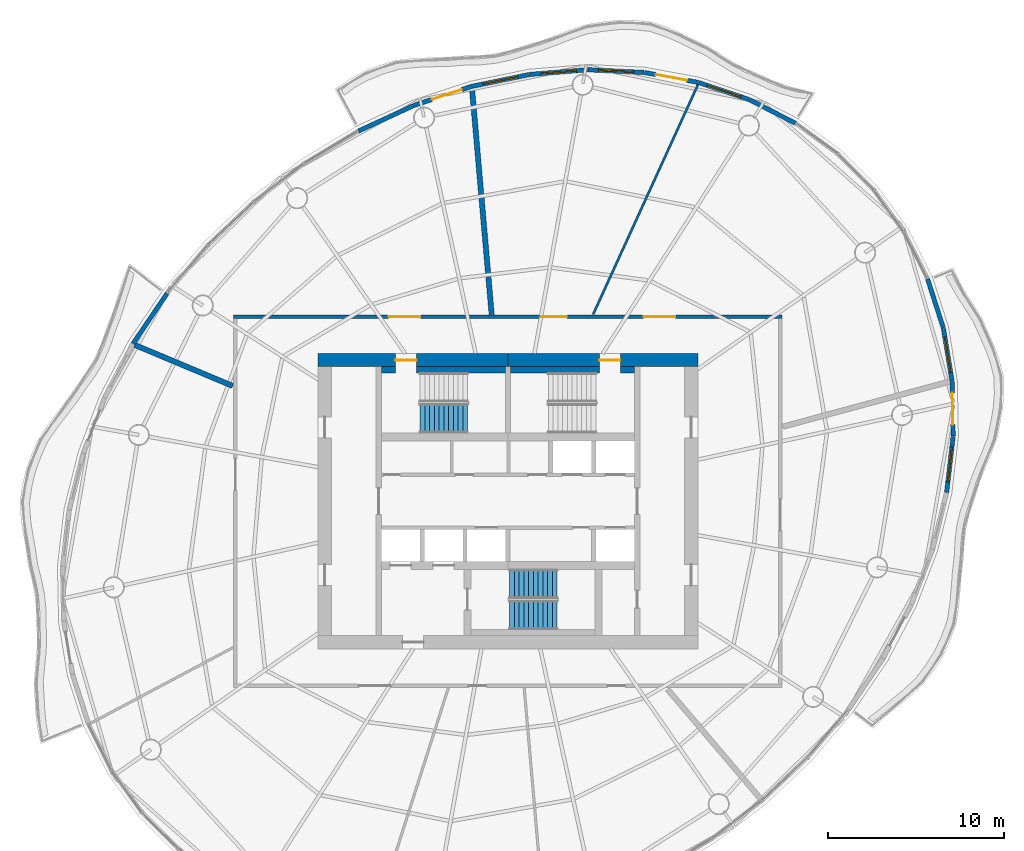
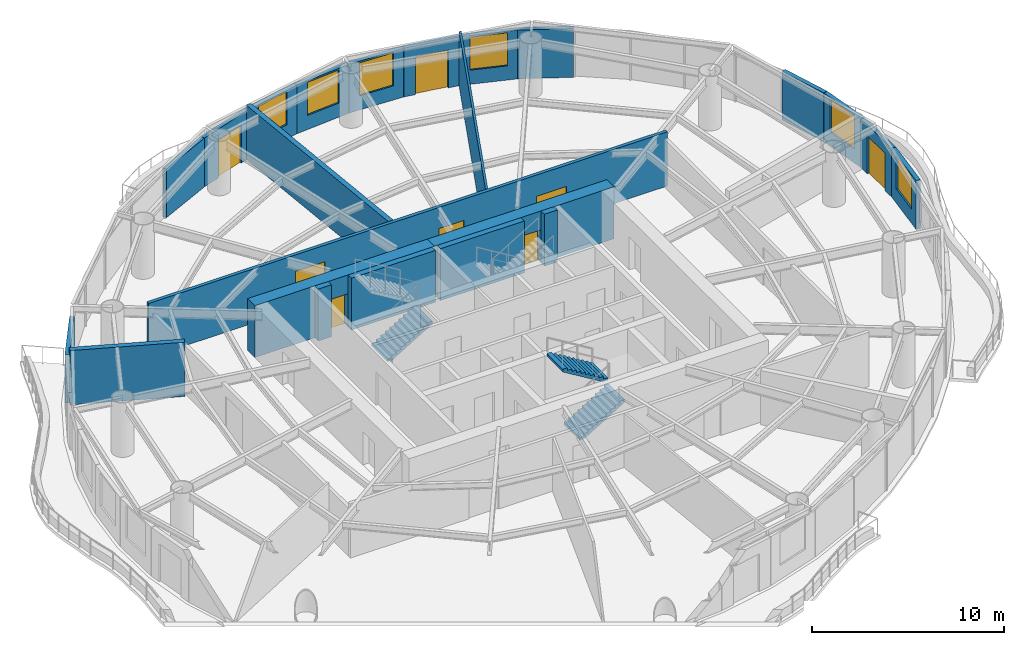
# One storey, part 10 of 14: 23 walls, 8 doors, 6 windows, 3 stair flights, 14 openings, 2 elements without a shape of their own.
"""IFC4 building model written with IfcOpenShell, lengths in metres."""

from ifc_helpers import new_model, si_unit, direction, frame, frame_2d, origin, place, context, subcontext, project, spatial, polyline, rectangle, outline, extrude, material, layer, layer_set, type_object, element, fill, aggregate, save


model = new_model("IFC4")

# Units and contexts
model_context = context("Model", 3, precision=1e-05, world=origin(), true_north=direction((0.0, 1.0)))
body_context = subcontext(model_context, "Body", "Model", "MODEL_VIEW")
ifc_project = project(units=[si_unit("LENGTHUNIT", "METRE"), si_unit("AREAUNIT", "SQUARE_METRE"), si_unit("VOLUMEUNIT", "CUBIC_METRE"), si_unit("PLANEANGLEUNIT", "RADIAN"), si_unit("MASSUNIT", "GRAM", prefix="KILO")], contexts=[model_context])

# Site, building, storey
site_placement = place(None, origin())
site = spatial("IfcSite", under=ifc_project, at=site_placement, CompositionType="ELEMENT")
building_placement = place(site_placement, origin())
building = spatial("IfcBuilding", under=site, at=building_placement, Name="Vermilion Reach Broadcast Tower", CompositionType="ELEMENT")
storey_placement = place(building_placement, frame((0.0, 0.0, 195.699951171875)))
storey = spatial("IfcBuildingStorey", under=building, at=storey_placement, Name="L47", CompositionType="ELEMENT", Elevation=195.699951171875)

# Wall, opening, door
ifc_material_1 = material(Name="Concrete C60", Category="concrete")
ifc_layer_1 = layer(ifc_material_1, 0.75)
ifc_layer_set_1 = layer_set([ifc_layer_1], Name="Core outer wall 750 mm Concrete C60")
wall_type_1 = type_object("IfcWallType", Name="Core outer wall 750 mm Concrete C60", PredefinedType="SHEAR", material=ifc_layer_set_1)
wall_1_placement = place(storey_placement, frame((4.800048828125, 8.02490234375, 0.0), z_axis=(0.0, 0.0, 1.0), x_axis=(-1.0, 0.0, 0.0)))
wall_1 = element("IfcWall", 1, at=wall_1_placement, inside=storey, type_object=wall_type_1, Name="L47 core wall onE", PredefinedType="SHEAR", context=body_context, shape_type="SweptSolid", body=[
    extrude(rectangle(XDim=10.800048828125, YDim=0.75, at=frame_2d((5.39990234375, 0.0))), origin(), (0.0, 0.0, 1.0), 3.300048828125),
])
opening_1_placement = place(wall_1_placement, frame((4.39990234375, 0.0, 0.0)))
opening_1 = element("IfcOpeningElement", 2, at=opening_1_placement, cuts=wall_1, Name="Opening D01", PredefinedType="OPENING", context=body_context, shape_type="SweptSolid", body=[
    extrude(rectangle(XDim=1.199951171875, YDim=2.10009765625, at=frame_2d((0.60009765625, 1.050048828125))), frame((0.0, 0.385009765625, 0.0), z_axis=(0.0, -1.0, 0.0), x_axis=(1.0, 0.0, 0.0)), (0.0, 0.0, 1.0), 0.77001953125),
])
ifc_material_2 = material(Name="Painted steel fire door", Category="steel")
door_type_1 = type_object("IfcDoorType", Name="Stair door 1200 x 2100", OperationType="DOUBLE_DOOR_SINGLE_SWING", PredefinedType="NOTDEFINED", material=ifc_material_2)
door_1_placement = place(opening_1_placement, origin())
door_1 = element("IfcDoor", 3, at=door_1_placement, inside=storey, type_object=door_type_1, Name="L47 stair door ST2", OperationType="DOUBLE_DOOR_SINGLE_SWING", OverallHeight=2.10009765625, OverallWidth=1.199951171875, PredefinedType="NOTDEFINED", context=body_context, shape_type="SweptSolid", body=[
    extrude(rectangle(XDim=1.199951171875, YDim=2.10009765625, at=frame_2d((0.60009765625, 1.050048828125))), frame((0.0, 0.02490234375, 0.0), z_axis=(0.0, -1.0, 0.0), x_axis=(1.0, 0.0, 0.0)), (0.0, 0.0, 1.0), 0.050048828125),
])
fill(opening_1, door_1)

wall_2_placement = place(storey_placement, frame((-6.0, 8.02490234375, 0.0), z_axis=(0.0, 0.0, 1.0), x_axis=(-1.0, 0.0, 0.0)))
wall_2 = element("IfcWall", 4, at=wall_2_placement, inside=storey, type_object=wall_type_1, Name="L47 core wall onW", PredefinedType="SHEAR", context=body_context, shape_type="SweptSolid", body=[
    extrude(rectangle(XDim=10.800048828125, YDim=0.75, at=frame_2d((5.39990234375, 0.0))), origin(), (0.0, 0.0, 1.0), 3.300048828125),
])
opening_2_placement = place(wall_2_placement, frame((5.199951171875, 0.0, 0.0)))
opening_2 = element("IfcOpeningElement", 5, at=opening_2_placement, cuts=wall_2, Name="Opening D01", PredefinedType="OPENING", context=body_context, shape_type="SweptSolid", body=[
    extrude(rectangle(XDim=1.199951171875, YDim=2.10009765625, at=frame_2d((0.60009765625, 1.050048828125))), frame((0.0, 0.385009765625, 0.0), z_axis=(0.0, -1.0, 0.0), x_axis=(1.0, 0.0, 0.0)), (0.0, 0.0, 1.0), 0.77001953125),
])
door_2_placement = place(opening_2_placement, origin())
door_2 = element("IfcDoor", 6, at=door_2_placement, inside=storey, type_object=door_type_1, Name="L47 stair door ST1", OperationType="DOUBLE_DOOR_SINGLE_SWING", OverallHeight=2.10009765625, OverallWidth=1.199951171875, PredefinedType="NOTDEFINED", context=body_context, shape_type="SweptSolid", body=[
    extrude(rectangle(XDim=1.199951171875, YDim=2.10009765625, at=frame_2d((0.60009765625, 1.050048828125))), frame((0.0, 0.02490234375, 0.0), z_axis=(0.0, -1.0, 0.0), x_axis=(1.0, 0.0, 0.0)), (0.0, 0.0, 1.0), 0.050048828125),
])
fill(opening_2, door_2)

# Walls
ifc_material_3 = material(Name="Concrete C60", Category="concrete")
ifc_layer_2 = layer(ifc_material_3, 0.35009765625)
ifc_layer_set_2 = layer_set([ifc_layer_2], Name="Core stair wall 350 mm Concrete C60")
wall_type_2 = type_object("IfcWallType", Name="Core stair wall 350 mm Concrete C60", PredefinedType="SHEAR", material=ifc_layer_set_2)
wall_3_placement = place(storey_placement, frame((-13.199951171875, 7.47509765625, 0.0), z_axis=(0.0, 0.0, 1.0), x_axis=(1.0, 0.0, 0.0)))
element("IfcWall", 7, at=wall_3_placement, inside=storey, type_object=wall_type_2, Name="L47 core wall l1a", PredefinedType="SHEAR", context=body_context, shape_type="SweptSolid", body=[
    extrude(rectangle(XDim=0.800048828125, YDim=0.35009765625, at=frame_2d((0.39990234375, 0.0))), origin(), (0.0, 0.0, 1.0), 3.300048828125),
])
for number, where, z_axis, x_axis, name in (
    (8, (-11.199951171875, 7.47509765625, 0.0), (0.0, 0.0, 1.0), (1.0, 0.0, 0.0), "L47 core wall l1b"),
    (9, (-5.85009765625, 7.47509765625, 0.0), (0.0, 0.0, 1.0), (1.0, 0.0, 0.0), "L47 core wall l2a"),
):
    element("IfcWall", number, at=place(storey_placement, frame(where, z_axis=z_axis, x_axis=x_axis)), inside=storey, type_object=wall_type_2, Name=name, PredefinedType="SHEAR", context=body_context, shape_type="SweptSolid", body=[
        extrude(rectangle(XDim=5.050048828125, YDim=0.35009765625, at=frame_2d((2.52490234375, 0.0))), origin(), (0.0, 0.0, 1.0), 3.300048828125),
    ])
wall_4_placement = place(storey_placement, frame((0.39990234375, 7.47509765625, 0.0), z_axis=(0.0, 0.0, 1.0), x_axis=(1.0, 0.0, 0.0)))
element("IfcWall", 10, at=wall_4_placement, inside=storey, type_object=wall_type_2, Name="L47 core wall l2b", PredefinedType="SHEAR", context=body_context, shape_type="SweptSolid", body=[
    extrude(rectangle(XDim=0.800048828125, YDim=0.35009765625, at=frame_2d((0.39990234375, 0.0))), origin(), (0.0, 0.0, 1.0), 3.300048828125),
])

# Wall, openings, doors
ifc_material_4 = material(Name="Fire-rated gypsum board partition")
ifc_layer_3 = layer(ifc_material_4, 0.199951171875)
ifc_layer_set_3 = layer_set([ifc_layer_3], Name="Corridor wall 200 fire-rated")
wall_type_3 = type_object("IfcWallType", Name="Corridor wall 200 fire-rated", PredefinedType="PARTITIONING", material=ifc_layer_set_3)
wall_5_placement = place(storey_placement, frame((-21.60009765625, 10.5, 0.0), z_axis=(0.0, 0.0, 1.0), x_axis=(1.0, 0.0, 0.0)))
wall_5 = element("IfcWall", 11, at=wall_5_placement, inside=storey, type_object=wall_type_3, Name="Corridor wall 47.N", PredefinedType="PARTITIONING", context=body_context, shape_type="SweptSolid", body=[
    extrude(rectangle(XDim=31.2001953125, YDim=0.199951171875, at=frame_2d((15.60009765625, 0.0))), origin(), (0.0, 0.0, 1.0), 3.449951171875),
])
opening_3_placement = place(wall_5_placement, frame((17.457763671875, 0.0, 0.0)))
opening_3 = element("IfcOpeningElement", 12, at=opening_3_placement, cuts=wall_5, Name="Opening D24", PredefinedType="OPENING", context=body_context, shape_type="SweptSolid", body=[
    extrude(rectangle(XDim=1.5, YDim=2.10009765625, at=frame_2d((0.75, 1.050048828125))), frame((0.0, 0.10986328125, 0.0), z_axis=(0.0, -1.0, 0.0), x_axis=(1.0, 0.0, 0.0)), (0.0, 0.0, 1.0), 0.219970703125),
])
opening_4_placement = place(wall_5_placement, frame((8.81396484375, 0.0, 0.0)))
opening_4 = element("IfcOpeningElement", 13, at=opening_4_placement, cuts=wall_5, Name="Opening D27", PredefinedType="OPENING", context=body_context, shape_type="SweptSolid", body=[
    extrude(rectangle(XDim=1.800048828125, YDim=2.39990234375, at=frame_2d((0.89990234375, 1.199951171875))), frame((0.0, 0.10986328125, 0.0), z_axis=(0.0, -1.0, 0.0), x_axis=(1.0, 0.0, 0.0)), (0.0, 0.0, 1.0), 0.219970703125),
])
opening_5_placement = place(wall_5_placement, frame((23.32470703125, 0.0, 0.0)))
opening_5 = element("IfcOpeningElement", 14, at=opening_5_placement, cuts=wall_5, Name="Opening D21", PredefinedType="OPENING", context=body_context, shape_type="SweptSolid", body=[
    extrude(rectangle(XDim=1.800048828125, YDim=2.10009765625, at=frame_2d((0.89990234375, 1.050048828125))), frame((0.0, 0.10986328125, 0.0), z_axis=(0.0, -1.0, 0.0), x_axis=(1.0, 0.0, 0.0)), (0.0, 0.0, 1.0), 0.219970703125),
])
ifc_material_5 = material(Name="Timber door leaf", Category="wood")
door_type_2 = type_object("IfcDoorType", Name="Door pair 1500x2100", OperationType="NOTDEFINED", PredefinedType="DOOR", material=ifc_material_5)
door_3_placement = place(opening_3_placement, origin())
door_3 = element("IfcDoor", 15, at=door_3_placement, inside=storey, type_object=door_type_2, Name="Door 47.01", OperationType="DOUBLE_DOOR_SINGLE_SWING", OverallHeight=2.10009765625, OverallWidth=1.5, PredefinedType="DOOR", context=body_context, shape_type="SweptSolid", body=[
    extrude(rectangle(XDim=1.5, YDim=2.10009765625, at=frame_2d((0.75, 1.050048828125))), frame((0.0, 0.02490234375, 0.0), z_axis=(0.0, -1.0, 0.0), x_axis=(1.0, 0.0, 0.0)), (0.0, 0.0, 1.0), 0.050048828125),
])
fill(opening_3, door_3)
ifc_material_6 = material(Name="Timber door leaf", Category="wood")
door_type_3 = type_object("IfcDoorType", Name="Door pair 1800x2100", OperationType="NOTDEFINED", PredefinedType="DOOR", material=ifc_material_6)
door_4_placement = place(opening_5_placement, origin())
door_4 = element("IfcDoor", 16, at=door_4_placement, inside=storey, type_object=door_type_3, Name="Door 47.08", OperationType="DOUBLE_DOOR_SINGLE_SWING", OverallHeight=2.10009765625, OverallWidth=1.800048828125, PredefinedType="DOOR", context=body_context, shape_type="SweptSolid", body=[
    extrude(rectangle(XDim=1.800048828125, YDim=2.10009765625, at=frame_2d((0.89990234375, 1.050048828125))), frame((0.0, 0.02490234375, 0.0), z_axis=(0.0, -1.0, 0.0), x_axis=(1.0, 0.0, 0.0)), (0.0, 0.0, 1.0), 0.050048828125),
])
fill(opening_5, door_4)
ifc_material_7 = material(Name="Acoustic timber door leaf", Category="wood")
door_type_4 = type_object("IfcDoorType", Name="Door pair 1800x2400", OperationType="NOTDEFINED", PredefinedType="DOOR", material=ifc_material_7)
door_5_placement = place(opening_4_placement, origin())
door_5 = element("IfcDoor", 17, at=door_5_placement, inside=storey, type_object=door_type_4, Name="Door 47.02", OperationType="DOUBLE_DOOR_SINGLE_SWING", OverallHeight=2.39990234375, OverallWidth=1.800048828125, PredefinedType="DOOR", context=body_context, shape_type="SweptSolid", body=[
    extrude(rectangle(XDim=1.800048828125, YDim=2.39990234375, at=frame_2d((0.89990234375, 1.199951171875))), frame((0.0, 0.02490234375, 0.0), z_axis=(0.0, -1.0, 0.0), x_axis=(1.0, 0.0, 0.0)), (0.0, 0.0, 1.0), 0.050048828125),
])
fill(opening_4, door_5)

# Walls
ifc_material_8 = material(Name="Fire-rated plasterboard on steel stud", Category="steel")
ifc_layer_4 = layer(ifc_material_8, 0.125)
ifc_layer_set_4 = layer_set([ifc_layer_4], Name="Partition 125 fire-rated stud")
wall_type_4 = type_object("IfcWallType", Name="Partition 125 fire-rated stud", PredefinedType="PARTITIONING", material=ifc_layer_set_4)
wall_6_placement = place(storey_placement, frame((4.810546875, 23.69873046875, 0.0), z_axis=(0.0, 0.0, 1.0), x_axis=(-0.415026400379, -0.909809368488, 0.0)))
element("IfcWall", 18, at=wall_6_placement, inside=storey, type_object=wall_type_4, Name="Partition 47.01", PredefinedType="PARTITIONING", context=body_context, shape_type="SweptSolid", body=[
    extrude(rectangle(XDim=14.36865234375, YDim=0.125, at=frame_2d((7.184326171875, 0.0))), origin(), (0.0, 0.0, 1.0), 3.449951171875),
])
ifc_material_9 = material(Name="Double-leaf plasterboard on isolated steel stud", Category="steel")
ifc_layer_5 = layer(ifc_material_9, 0.300048828125)
ifc_layer_set_5 = layer_set([ifc_layer_5], Name="Partition 300 acoustic double leaf")
wall_type_5 = type_object("IfcWallType", Name="Partition 300 acoustic double leaf", PredefinedType="PARTITIONING", material=ifc_layer_set_5)
wall_7_placement = place(storey_placement, frame((-8.0439453125, 23.474365234375, 0.0), z_axis=(0.0, 0.0, 1.0), x_axis=(0.086744678296, -0.996230576115, 0.0)))
element("IfcWall", 19, at=wall_7_placement, inside=storey, type_object=wall_type_5, Name="Partition 47.02", PredefinedType="PARTITIONING", context=body_context, shape_type="SweptSolid", body=[
    extrude(rectangle(XDim=12.909912109375, YDim=0.300048828125, at=frame_2d((6.455078125, 0.0))), origin(), (0.0, 0.0, 1.0), 3.449951171875),
])
wall_8_placement = place(storey_placement, frame((-27.228515625, 8.886962890625, 0.0), z_axis=(0.0, 0.0, 1.0), x_axis=(0.922430941615, -0.386162087667, 0.0)))
element("IfcWall", 20, at=wall_8_placement, inside=storey, type_object=wall_type_5, Name="Partition 47.03", PredefinedType="PARTITIONING", context=body_context, shape_type="SweptSolid", body=[
    extrude(rectangle(XDim=6.0390625, YDim=0.300048828125, at=frame_2d((3.01953125, 0.0))), origin(), (0.0, 0.0, 1.0), 3.449951171875),
])
ifc_material_10 = material(Name="Terracotta rainscreen cladding", Category="masonry")
ifc_layer_6 = layer(ifc_material_10, 0.25)
ifc_layer_set_6 = layer_set([ifc_layer_6], Name="Terracotta rainscreen wall 250")
wall_type_6 = type_object("IfcWallType", Name="Terracotta rainscreen wall 250", PredefinedType="SOLIDWALL", material=ifc_layer_set_6)
wall_9_placement = place(storey_placement, frame((10.347900390625, 21.502685546875, 0.0), z_axis=(0.0, 0.0, 1.0), x_axis=(-0.889595471306, 0.456749271955, 0.0)))
element("IfcWall", 21, at=wall_9_placement, inside=storey, type_object=wall_type_6, Name="External wall L47 02", PredefinedType="SOLIDWALL", context=body_context, shape_type="SweptSolid", body=[
    extrude(rectangle(XDim=2.921142578125, YDim=0.25, at=frame_2d((1.46044921875, 0.0))), origin(), (0.0, 0.0, 1.0), 3.10009765625),
])

# Wall, opening, window
wall_10_placement = place(storey_placement, frame((7.724853515625, 22.847412109375, 0.0), z_axis=(0.0, 0.0, 1.0), x_axis=(-0.947557264869, 0.319586028784, 0.0)))
wall_10 = element("IfcWall", 22, at=wall_10_placement, inside=storey, type_object=wall_type_6, Name="External wall L47 03", PredefinedType="SOLIDWALL", context=body_context, shape_type="SweptSolid", body=[
    extrude(rectangle(XDim=3.02978515625, YDim=0.25, at=frame_2d((1.514892578125, 0.0))), origin(), (0.0, 0.0, 1.0), 3.10009765625),
])
opening_6_placement = place(wall_10_placement, frame((0.514892578125, 0.0, 0.89990234375)))
opening_6 = element("IfcOpeningElement", 23, at=opening_6_placement, cuts=wall_10, Name="Opening W03", PredefinedType="OPENING", context=body_context, shape_type="SweptSolid", body=[
    extrude(rectangle(XDim=2.0, YDim=2.10009765625, at=frame_2d((1.0, 1.050048828125))), frame((0.0, 0.135009765625, 0.0), z_axis=(0.0, -1.0, 0.0), x_axis=(1.0, 0.0, 0.0)), (0.0, 0.0, 1.0), 0.27001953125),
])
ifc_material_11 = material(Name="Low-e laminated clear glass in aluminium frame", Category="aluminium")
window_type = type_object("IfcWindowType", Name="Punched window 2000 x 2100 sill 900", PartitioningType="SINGLE_PANEL", PredefinedType="WINDOW", material=ifc_material_11)
window_1_placement = place(opening_6_placement, origin())
window_1 = element("IfcWindow", 24, at=window_1_placement, inside=storey, type_object=window_type, Name="Window L47 03", OverallHeight=2.10009765625, OverallWidth=2.0, PartitioningType="SINGLE_PANEL", PredefinedType="WINDOW", context=body_context, shape_type="SweptSolid", body=[
    extrude(rectangle(XDim=2.0, YDim=2.10009765625, at=frame_2d((1.0, 1.050048828125))), frame((0.0, 0.030029296875, 0.0), z_axis=(0.0, -1.0, 0.0), x_axis=(1.0, 0.0, 0.0)), (0.0, 0.0, 1.0), 0.06005859375),
])
fill(opening_6, window_1)

# Wall, opening, door
wall_11_placement = place(storey_placement, frame((4.8291015625, 23.822265625, 0.0), z_axis=(0.0, 0.0, 1.0), x_axis=(-0.98330230245, 0.181979619727, 0.0)))
wall_11 = element("IfcWall", 25, at=wall_11_placement, inside=storey, type_object=wall_type_6, Name="External wall L47 04", PredefinedType="SOLIDWALL", context=body_context, shape_type="SweptSolid", body=[
    extrude(rectangle(XDim=3.10986328125, YDim=0.25, at=frame_2d((1.554931640625, 0.0))), origin(), (0.0, 0.0, 1.0), 3.10009765625),
])
opening_7_placement = place(wall_11_placement, frame((0.655029296875, 0.0, 0.0)))
opening_7 = element("IfcOpeningElement", 26, at=opening_7_placement, cuts=wall_11, Name="Opening D70", PredefinedType="OPENING", context=body_context, shape_type="SweptSolid", body=[
    extrude(rectangle(XDim=1.800048828125, YDim=2.39990234375, at=frame_2d((0.89990234375, 1.199951171875))), frame((0.0, 0.135009765625, 0.0), z_axis=(0.0, -1.0, 0.0), x_axis=(1.0, 0.0, 0.0)), (0.0, 0.0, 1.0), 0.27001953125),
])
ifc_material_12 = material(Name="Low-e laminated clear glass in aluminium frame", Category="aluminium")
door_type_5 = type_object("IfcDoorType", Name="Balcony sliding door 1800 x 2400", OperationType="DOUBLE_DOOR_SLIDING", PredefinedType="DOOR", material=ifc_material_12)
door_6_placement = place(opening_7_placement, origin())
door_6 = element("IfcDoor", 27, at=door_6_placement, inside=storey, type_object=door_type_5, Name="Balcony door L47 run 01", OperationType="DOUBLE_DOOR_SLIDING", OverallHeight=2.39990234375, OverallWidth=1.800048828125, PredefinedType="DOOR", context=body_context, shape_type="SweptSolid", body=[
    extrude(rectangle(XDim=1.800048828125, YDim=2.39990234375, at=frame_2d((0.89990234375, 1.199951171875))), frame((0.0, 0.02490234375, 0.0), z_axis=(0.0, -1.0, 0.0), x_axis=(1.0, 0.0, 0.0)), (0.0, 0.0, 1.0), 0.050048828125),
])
fill(opening_7, door_6)

# Wall, opening, window
wall_12_placement = place(storey_placement, frame((1.74658203125, 24.390869140625, 0.0), z_axis=(0.0, 0.0, 1.0), x_axis=(-0.998856706074, 0.047804609939, 0.0)))
wall_12 = element("IfcWall", 28, at=wall_12_placement, inside=storey, type_object=wall_type_6, Name="External wall L47 05", PredefinedType="SOLIDWALL", context=body_context, shape_type="SweptSolid", body=[
    extrude(rectangle(XDim=3.197021484375, YDim=0.25, at=frame_2d((1.5986328125, 0.0))), origin(), (0.0, 0.0, 1.0), 3.10009765625),
])
opening_8_placement = place(wall_12_placement, frame((0.598388671875, 0.0, 0.89990234375)))
opening_8 = element("IfcOpeningElement", 29, at=opening_8_placement, cuts=wall_12, Name="Opening W03", PredefinedType="OPENING", context=body_context, shape_type="SweptSolid", body=[
    extrude(rectangle(XDim=2.0, YDim=2.10009765625, at=frame_2d((1.0, 1.050048828125))), frame((0.0, 0.135009765625, 0.0), z_axis=(0.0, -1.0, 0.0), x_axis=(1.0, 0.0, 0.0)), (0.0, 0.0, 1.0), 0.27001953125),
])
window_2_placement = place(opening_8_placement, origin())
window_2 = element("IfcWindow", 30, at=window_2_placement, inside=storey, type_object=window_type, Name="Window L47 05", OverallHeight=2.10009765625, OverallWidth=2.0, PartitioningType="SINGLE_PANEL", PredefinedType="WINDOW", context=body_context, shape_type="SweptSolid", body=[
    extrude(rectangle(XDim=2.0, YDim=2.10009765625, at=frame_2d((1.0, 1.050048828125))), frame((0.0, 0.030029296875, 0.0), z_axis=(0.0, -1.0, 0.0), x_axis=(1.0, 0.0, 0.0)), (0.0, 0.0, 1.0), 0.06005859375),
])
fill(opening_8, window_2)

wall_13_placement = place(storey_placement, frame((-1.470703125, 24.543212890625, 0.0), z_axis=(0.0, 0.0, 1.0), x_axis=(-0.996754245235, -0.080504500529, 0.0)))
wall_13 = element("IfcWall", 31, at=wall_13_placement, inside=storey, type_object=wall_type_6, Name="External wall L47 06", PredefinedType="SOLIDWALL", context=body_context, shape_type="SweptSolid", body=[
    extrude(rectangle(XDim=3.284423828125, YDim=0.25, at=frame_2d((1.64208984375, 0.0))), origin(), (0.0, 0.0, 1.0), 3.10009765625),
])
opening_9_placement = place(wall_13_placement, frame((0.64208984375, 0.0, 0.89990234375)))
opening_9 = element("IfcOpeningElement", 32, at=opening_9_placement, cuts=wall_13, Name="Opening W03", PredefinedType="OPENING", context=body_context, shape_type="SweptSolid", body=[
    extrude(rectangle(XDim=2.0, YDim=2.10009765625, at=frame_2d((1.0, 1.050048828125))), frame((0.0, 0.135009765625, 0.0), z_axis=(0.0, -1.0, 0.0), x_axis=(1.0, 0.0, 0.0)), (0.0, 0.0, 1.0), 0.27001953125),
])
window_3_placement = place(opening_9_placement, origin())
window_3 = element("IfcWindow", 33, at=window_3_placement, inside=storey, type_object=window_type, Name="Window L47 06", OverallHeight=2.10009765625, OverallWidth=2.0, PartitioningType="SINGLE_PANEL", PredefinedType="WINDOW", context=body_context, shape_type="SweptSolid", body=[
    extrude(rectangle(XDim=2.0, YDim=2.10009765625, at=frame_2d((1.0, 1.050048828125))), frame((0.0, 0.030029296875, 0.0), z_axis=(0.0, -1.0, 0.0), x_axis=(1.0, 0.0, 0.0)), (0.0, 0.0, 1.0), 0.06005859375),
])
fill(opening_9, window_3)

wall_14_placement = place(storey_placement, frame((-4.767333984375, 24.275634765625, 0.0), z_axis=(0.0, 0.0, 1.0), x_axis=(-0.979500828614, -0.201440131914, 0.0)))
wall_14 = element("IfcWall", 34, at=wall_14_placement, inside=storey, type_object=wall_type_6, Name="External wall L47 07", PredefinedType="SOLIDWALL", context=body_context, shape_type="SweptSolid", body=[
    extrude(rectangle(XDim=3.366943359375, YDim=0.25, at=frame_2d((1.68359375, 0.0))), origin(), (0.0, 0.0, 1.0), 3.10009765625),
])
opening_10_placement = place(wall_14_placement, frame((0.683349609375, 0.0, 0.89990234375)))
opening_10 = element("IfcOpeningElement", 35, at=opening_10_placement, cuts=wall_14, Name="Opening W03", PredefinedType="OPENING", context=body_context, shape_type="SweptSolid", body=[
    extrude(rectangle(XDim=2.0, YDim=2.10009765625, at=frame_2d((1.0, 1.050048828125))), frame((0.0, 0.135009765625, 0.0), z_axis=(0.0, -1.0, 0.0), x_axis=(1.0, 0.0, 0.0)), (0.0, 0.0, 1.0), 0.27001953125),
])
window_4_placement = place(opening_10_placement, origin())
window_4 = element("IfcWindow", 36, at=window_4_placement, inside=storey, type_object=window_type, Name="Window L47 07", OverallHeight=2.10009765625, OverallWidth=2.0, PartitioningType="SINGLE_PANEL", PredefinedType="WINDOW", context=body_context, shape_type="SweptSolid", body=[
    extrude(rectangle(XDim=2.0, YDim=2.10009765625, at=frame_2d((1.0, 1.050048828125))), frame((0.0, 0.030029296875, 0.0), z_axis=(0.0, -1.0, 0.0), x_axis=(1.0, 0.0, 0.0)), (0.0, 0.0, 1.0), 0.06005859375),
])
fill(opening_10, window_4)

# Wall, opening, door
wall_15_placement = place(storey_placement, frame((-8.0869140625, 23.591552734375, 0.0), z_axis=(0.0, 0.0, 1.0), x_axis=(-0.949348540896, -0.314224995663, 0.0)))
wall_15 = element("IfcWall", 37, at=wall_15_placement, inside=storey, type_object=wall_type_6, Name="External wall L47 08", PredefinedType="SOLIDWALL", context=body_context, shape_type="SweptSolid", body=[
    extrude(rectangle(XDim=3.438720703125, YDim=0.25, at=frame_2d((1.71923828125, 0.0))), origin(), (0.0, 0.0, 1.0), 3.10009765625),
])
opening_11_placement = place(wall_15_placement, frame((0.569091796875, 0.0, 0.0)))
opening_11 = element("IfcOpeningElement", 38, at=opening_11_placement, cuts=wall_15, Name="Opening D70", PredefinedType="OPENING", context=body_context, shape_type="SweptSolid", body=[
    extrude(rectangle(XDim=1.800048828125, YDim=2.39990234375, at=frame_2d((0.89990234375, 1.199951171875))), frame((0.0, 0.135009765625, 0.0), z_axis=(0.0, -1.0, 0.0), x_axis=(1.0, 0.0, 0.0)), (0.0, 0.0, 1.0), 0.27001953125),
])
door_7_placement = place(opening_11_placement, origin())
door_7 = element("IfcDoor", 39, at=door_7_placement, inside=storey, type_object=door_type_5, Name="Balcony door L47 run 02", OperationType="DOUBLE_DOOR_SLIDING", OverallHeight=2.39990234375, OverallWidth=1.800048828125, PredefinedType="DOOR", context=body_context, shape_type="SweptSolid", body=[
    extrude(rectangle(XDim=1.800048828125, YDim=2.39990234375, at=frame_2d((0.89990234375, 1.199951171875))), frame((0.0, 0.02490234375, 0.0), z_axis=(0.0, -1.0, 0.0), x_axis=(1.0, 0.0, 0.0)), (0.0, 0.0, 1.0), 0.050048828125),
])
fill(opening_11, door_7)

# Walls
wall_16_placement = place(storey_placement, frame((-11.3720703125, 22.5029296875, 0.0), z_axis=(0.0, 0.0, 1.0), x_axis=(-0.907951105118, -0.419076115658, 0.0)))
element("IfcWall", 40, at=wall_16_placement, inside=storey, type_object=wall_type_6, Name="External wall L47 09", PredefinedType="SOLIDWALL", context=body_context, shape_type="SweptSolid", body=[
    extrude(rectangle(XDim=3.452392578125, YDim=0.25, at=frame_2d((1.72607421875, 0.0))), origin(), (0.0, 0.0, 1.0), 3.10009765625),
])
wall_17_placement = place(storey_placement, frame((-25.392333984375, 11.81787109375, 0.0), z_axis=(0.0, 0.0, 1.0), x_axis=(-0.561162409818, -0.827705714495, 0.0)))
element("IfcWall", 41, at=wall_17_placement, inside=storey, type_object=wall_type_6, Name="External wall L47 14", PredefinedType="SOLIDWALL", context=body_context, shape_type="SweptSolid", body=[
    extrude(rectangle(XDim=3.4521484375, YDim=0.25, at=frame_2d((1.72607421875, 0.0))), origin(), (0.0, 0.0, 1.0), 3.10009765625),
])

# Wall, opening, window
wall_18_placement = place(storey_placement, frame((18.95751953125, 0.5009765625, 0.0), z_axis=(0.0, 0.0, 1.0), x_axis=(0.115316862034, 0.99332875793, 0.0)))
wall_18 = element("IfcWall", 42, at=wall_18_placement, inside=storey, type_object=wall_type_6, Name="External wall L47 42", PredefinedType="SOLIDWALL", context=body_context, shape_type="SweptSolid", body=[
    extrude(rectangle(XDim=3.19677734375, YDim=0.25, at=frame_2d((1.598388671875, 0.0))), origin(), (0.0, 0.0, 1.0), 3.10009765625),
])
opening_12_placement = place(wall_18_placement, frame((0.598388671875, 0.0, 0.89990234375)))
opening_12 = element("IfcOpeningElement", 43, at=opening_12_placement, cuts=wall_18, Name="Opening W03", PredefinedType="OPENING", context=body_context, shape_type="SweptSolid", body=[
    extrude(rectangle(XDim=2.0, YDim=2.10009765625, at=frame_2d((1.0, 1.050048828125))), frame((0.0, 0.135009765625, 0.0), z_axis=(0.0, -1.0, 0.0), x_axis=(1.0, 0.0, 0.0)), (0.0, 0.0, 1.0), 0.27001953125),
])
window_5_placement = place(opening_12_placement, origin())
window_5 = element("IfcWindow", 44, at=window_5_placement, inside=storey, type_object=window_type, Name="Window L47 42", OverallHeight=2.10009765625, OverallWidth=2.0, PartitioningType="SINGLE_PANEL", PredefinedType="WINDOW", context=body_context, shape_type="SweptSolid", body=[
    extrude(rectangle(XDim=2.0, YDim=2.10009765625, at=frame_2d((1.0, 1.050048828125))), frame((0.0, 0.030029296875, 0.0), z_axis=(0.0, -1.0, 0.0), x_axis=(1.0, 0.0, 0.0)), (0.0, 0.0, 1.0), 0.06005859375),
])
fill(opening_12, window_5)

# Wall, opening, door
wall_19_placement = place(storey_placement, frame((19.327392578125, 3.701416015625, 0.0), z_axis=(0.0, 0.0, 1.0), x_axis=(-0.01970563503, 0.999805825122, 0.0)))
wall_19 = element("IfcWall", 45, at=wall_19_placement, inside=storey, type_object=wall_type_6, Name="External wall L47 43", PredefinedType="SOLIDWALL", context=body_context, shape_type="SweptSolid", body=[
    extrude(rectangle(XDim=3.109619140625, YDim=0.25, at=frame_2d((1.5546875, 0.0))), origin(), (0.0, 0.0, 1.0), 3.10009765625),
])
opening_13_placement = place(wall_19_placement, frame((0.655029296875, 0.0, 0.0)))
opening_13 = element("IfcOpeningElement", 46, at=opening_13_placement, cuts=wall_19, Name="Opening D70", PredefinedType="OPENING", context=body_context, shape_type="SweptSolid", body=[
    extrude(rectangle(XDim=1.800048828125, YDim=2.39990234375, at=frame_2d((0.89990234375, 1.199951171875))), frame((0.0, 0.135009765625, 0.0), z_axis=(0.0, -1.0, 0.0), x_axis=(1.0, 0.0, 0.0)), (0.0, 0.0, 1.0), 0.27001953125),
])
door_8_placement = place(opening_13_placement, origin())
door_8 = element("IfcDoor", 47, at=door_8_placement, inside=storey, type_object=door_type_5, Name="Balcony door L47 run 11", OperationType="DOUBLE_DOOR_SLIDING", OverallHeight=2.39990234375, OverallWidth=1.800048828125, PredefinedType="DOOR", context=body_context, shape_type="SweptSolid", body=[
    extrude(rectangle(XDim=1.800048828125, YDim=2.39990234375, at=frame_2d((0.89990234375, 1.199951171875))), frame((0.0, 0.02490234375, 0.0), z_axis=(0.0, -1.0, 0.0), x_axis=(1.0, 0.0, 0.0)), (0.0, 0.0, 1.0), 0.050048828125),
])
fill(opening_13, door_8)

# Wall, opening, window
wall_20_placement = place(storey_placement, frame((19.263916015625, 6.836181640625, 0.0), z_axis=(0.0, 0.0, 1.0), x_axis=(-0.161248834654, 0.986913782112, 0.0)))
wall_20 = element("IfcWall", 48, at=wall_20_placement, inside=storey, type_object=wall_type_6, Name="External wall L47 44", PredefinedType="SOLIDWALL", context=body_context, shape_type="SweptSolid", body=[
    extrude(rectangle(XDim=3.029541015625, YDim=0.25, at=frame_2d((1.5146484375, 0.0))), origin(), (0.0, 0.0, 1.0), 3.10009765625),
])
opening_14_placement = place(wall_20_placement, frame((0.514892578125, 0.0, 0.89990234375)))
opening_14 = element("IfcOpeningElement", 49, at=opening_14_placement, cuts=wall_20, Name="Opening W03", PredefinedType="OPENING", context=body_context, shape_type="SweptSolid", body=[
    extrude(rectangle(XDim=2.0, YDim=2.10009765625, at=frame_2d((1.0, 1.050048828125))), frame((0.0, 0.135009765625, 0.0), z_axis=(0.0, -1.0, 0.0), x_axis=(1.0, 0.0, 0.0)), (0.0, 0.0, 1.0), 0.27001953125),
])
window_6_placement = place(opening_14_placement, origin())
window_6 = element("IfcWindow", 50, at=window_6_placement, inside=storey, type_object=window_type, Name="Window L47 44", OverallHeight=2.10009765625, OverallWidth=2.0, PartitioningType="SINGLE_PANEL", PredefinedType="WINDOW", context=body_context, shape_type="SweptSolid", body=[
    extrude(rectangle(XDim=2.0, YDim=2.10009765625, at=frame_2d((1.0, 1.050048828125))), frame((0.0, 0.030029296875, 0.0), z_axis=(0.0, -1.0, 0.0), x_axis=(1.0, 0.0, 0.0)), (0.0, 0.0, 1.0), 0.06005859375),
])
fill(opening_14, window_6)

# Wall
wall_21_placement = place(storey_placement, frame((18.76904296875, 9.85205078125, 0.0), z_axis=(0.0, 0.0, 1.0), x_axis=(-0.305979420663, 0.952038126406, 0.0)))
element("IfcWall", 51, at=wall_21_placement, inside=storey, type_object=wall_type_6, Name="External wall L47 45", PredefinedType="SOLIDWALL", context=body_context, shape_type="SweptSolid", body=[
    extrude(rectangle(XDim=2.921142578125, YDim=0.25, at=frame_2d((1.46044921875, 0.0))), origin(), (0.0, 0.0, 1.0), 3.10009765625),
])

# Stair, stair flight
ifc_material_13 = material(Name="Concrete C40", Category="concrete")
stair_type = type_object("IfcStairType", Name="Exit stair RC 22 risers 164 mm", PredefinedType="HALF_TURN_STAIR", material=ifc_material_13)
placement = place(storey_placement, origin())
stair_1 = element("IfcStair", 52, at=placement, inside=storey, type_object=stair_type, Name="L47 Exit stair ST1", PredefinedType="HALF_TURN_STAIR")
ifc_material_14 = material(Name="Concrete C40", Category="concrete")
stair_flight_type = type_object("IfcStairFlightType", Name="Exit stair flight RC 11 risers", PredefinedType="STRAIGHT", material=ifc_material_14)
stair_flight_1_placement = place(storey_placement, frame((-11.0, 4.7099609375, 0.0), z_axis=(0.0, 0.0, 1.0), x_axis=(1.0, 0.0, 0.0)))
stair_flight_1 = element("IfcStairFlight", 53, at=stair_flight_1_placement, type_object=stair_flight_type, Name="ST1 flight 1", NumberOfRisers=11, NumberOfTreads=10, PredefinedType="STRAIGHT", RiserHeight=0.163636364, TreadLength=0.27, context=body_context, shape_type="SweptSolid", body=[
    extrude(outline(polyline([(0.0, 0.0), (0.0, 0.16357421875), (0.27001953125, 0.16357421875), (0.27001953125, 0.327392578125), (0.5400390625, 0.327392578125), (0.5400390625, 0.490966796875), (0.81005859375, 0.490966796875), (0.81005859375, 0.654541015625), (1.080078125, 0.654541015625), (1.080078125, 0.818115234375), (1.35009765625, 0.818115234375), (1.35009765625, 0.98193359375), (1.6201171875, 0.98193359375), (1.6201171875, 1.1455078125), (1.889892578125, 1.1455078125), (1.889892578125, 1.30908203125), (2.159912109375, 1.30908203125), (2.159912109375, 1.47265625), (2.429931640625, 1.47265625), (2.429931640625, 1.636474609375), (2.699951171875, 1.636474609375), (2.699951171875, 1.800048828125), (2.699951171875, 1.461181640625), (0.289306640625, 0.0), (0.0, 0.0)])), frame((0.0, 0.830078125, 0.0), z_axis=(0.0, -1.0, 0.0), x_axis=(1.0, 0.0, 0.0)), (0.0, 0.0, 1.0), 1.659912109375),
])
aggregate(stair_1, [stair_flight_1])

# Stair, stair flights
stair_2 = element("IfcStair", 54, at=placement, inside=storey, type_object=stair_type, Name="L47 Exit stair ST3", PredefinedType="HALF_TURN_STAIR")
stair_flight_2_placement = place(storey_placement, frame((-5.89990234375, -6.469970703125, 0.0), z_axis=(0.0, 0.0, 1.0), x_axis=(1.0, 0.0, 0.0)))
stair_flight_2 = element("IfcStairFlight", 55, at=stair_flight_2_placement, type_object=stair_flight_type, Name="ST3 flight 1", NumberOfRisers=11, NumberOfTreads=10, PredefinedType="STRAIGHT", RiserHeight=0.163636364, TreadLength=0.27, context=body_context, shape_type="SweptSolid", body=[
    extrude(outline(polyline([(0.0, 0.0), (0.0, 0.16357421875), (0.27001953125, 0.16357421875), (0.27001953125, 0.327392578125), (0.5400390625, 0.327392578125), (0.5400390625, 0.490966796875), (0.81005859375, 0.490966796875), (0.81005859375, 0.654541015625), (1.080078125, 0.654541015625), (1.080078125, 0.818115234375), (1.35009765625, 0.818115234375), (1.35009765625, 0.98193359375), (1.6201171875, 0.98193359375), (1.6201171875, 1.1455078125), (1.889892578125, 1.1455078125), (1.889892578125, 1.30908203125), (2.159912109375, 1.30908203125), (2.159912109375, 1.47265625), (2.429931640625, 1.47265625), (2.429931640625, 1.636474609375), (2.699951171875, 1.636474609375), (2.699951171875, 1.800048828125), (2.699951171875, 1.461181640625), (0.289306640625, 0.0), (0.0, 0.0)])), frame((0.0, 0.830078125, 0.0), z_axis=(0.0, -1.0, 0.0), x_axis=(1.0, 0.0, 0.0)), (0.0, 0.0, 1.0), 1.659912109375),
])
stair_flight_3_placement = place(storey_placement, frame((-3.199951171875, -4.7099609375, 1.800048828125), z_axis=(0.0, 0.0, 1.0), x_axis=(-1.0, 0.0, 0.0)))
stair_flight_3 = element("IfcStairFlight", 56, at=stair_flight_3_placement, type_object=stair_flight_type, Name="ST3 flight 2", NumberOfRisers=11, NumberOfTreads=10, PredefinedType="STRAIGHT", RiserHeight=0.163636364, TreadLength=0.27, context=body_context, shape_type="SweptSolid", body=[
    extrude(outline(polyline([(0.0, 0.0), (0.0, 0.16357421875), (0.27001953125, 0.16357421875), (0.27001953125, 0.327392578125), (0.5400390625, 0.327392578125), (0.5400390625, 0.490966796875), (0.81005859375, 0.490966796875), (0.81005859375, 0.654541015625), (1.080078125, 0.654541015625), (1.080078125, 0.818115234375), (1.35009765625, 0.818115234375), (1.35009765625, 0.98193359375), (1.6201171875, 0.98193359375), (1.6201171875, 1.1455078125), (1.889892578125, 1.1455078125), (1.889892578125, 1.30908203125), (2.159912109375, 1.30908203125), (2.159912109375, 1.47265625), (2.429931640625, 1.47265625), (2.429931640625, 1.636474609375), (2.699951171875, 1.636474609375), (2.699951171875, 1.800048828125), (2.699951171875, 1.461181640625), (0.289306640625, 0.0), (0.0, 0.0)])), frame((0.0, 0.830078125, 0.0), z_axis=(0.0, -1.0, 0.0), x_axis=(1.0, 0.0, 0.0)), (0.0, 0.0, 1.0), 1.659912109375),
])
aggregate(stair_2, [stair_flight_2, stair_flight_3])

save(model, "model.ifc")
